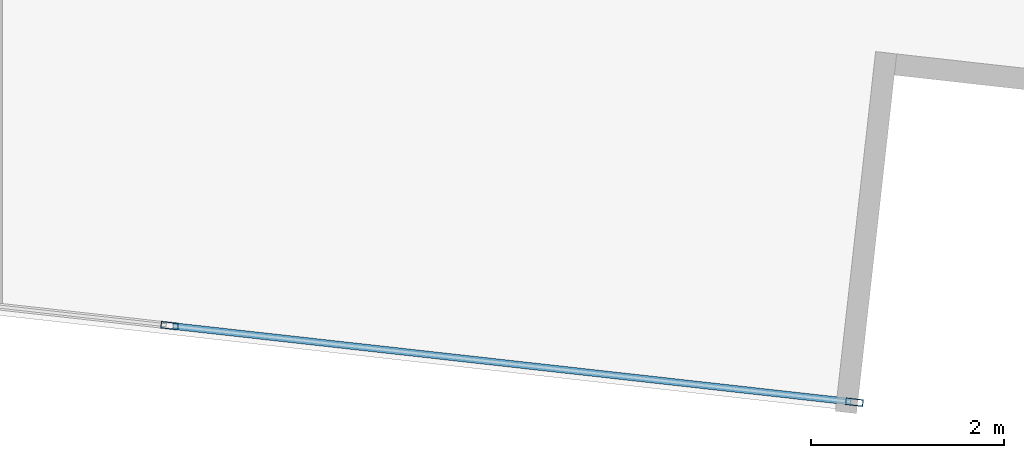
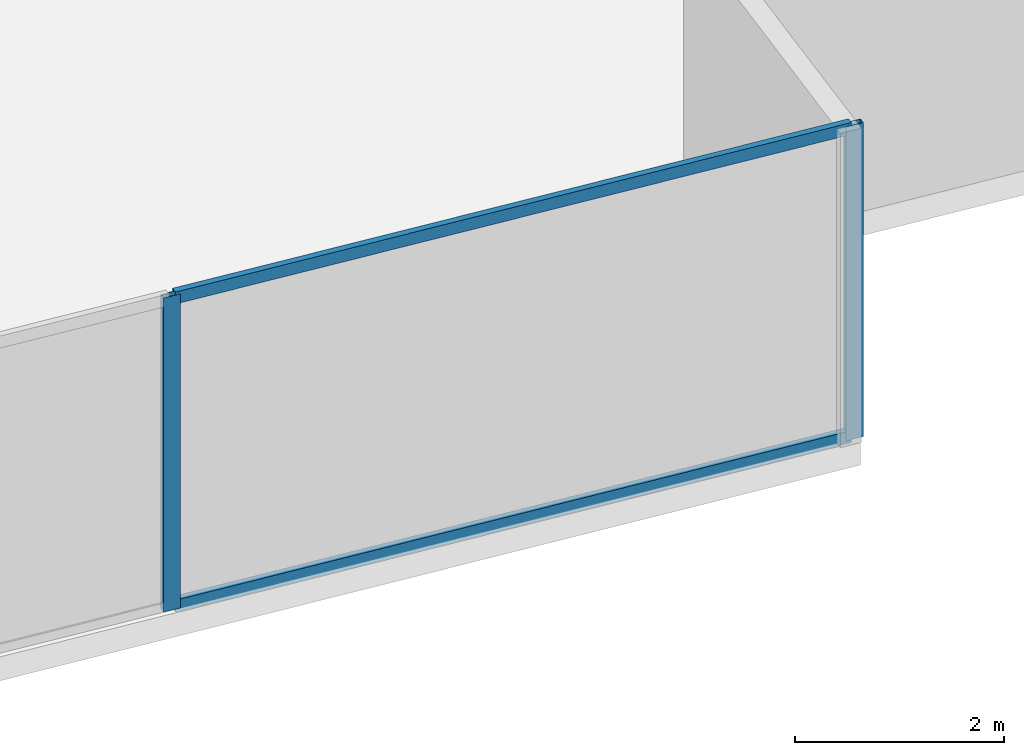
# One storey, part 10 of 29: 4 members, 1 element without a shape of its own.
"""IFC4 building model written with IfcOpenShell, lengths in metres."""

from ifc_helpers import new_model, si_unit, direction, frame, origin, origin_2d, place, context, subcontext, project, spatial, hollow_rectangle, extrude, source, transform, mapped, material, material_profile, profile_set, type_object, type_shapes, element, aggregate, save


model = new_model("IFC4")

# Units and contexts
model_context = context("Model", 3, precision=1e-05, world=origin(), true_north=direction((0.0, 1.0)))
body_context = subcontext(model_context, "Body", "Model", "MODEL_VIEW")
ifc_project = project(units=[si_unit("LENGTHUNIT", "METRE"), si_unit("AREAUNIT", "SQUARE_METRE"), si_unit("VOLUMEUNIT", "CUBIC_METRE"), si_unit("PLANEANGLEUNIT", "RADIAN"), si_unit("MASSUNIT", "GRAM", prefix="KILO")], contexts=[model_context])

# Site, building, storey
site_placement = place(None, origin())
site = spatial("IfcSite", under=ifc_project, at=site_placement, CompositionType="ELEMENT")
building_placement = place(site_placement, origin())
building = spatial("IfcBuilding", under=site, at=building_placement, Name="Krantzveldt Concourse Tower", CompositionType="ELEMENT")
storey_placement = place(building_placement, frame((0.0, 0.0, 60.550048828125)))
storey = spatial("IfcBuildingStorey", under=building, at=storey_placement, Name="L14", CompositionType="ELEMENT", Elevation=60.550048828125)

# Curtain wall, members
ifc_material = material(Name="Anodised aluminium 6063-T6", Category="aluminium")
curtain_wall_type = type_object("IfcCurtainWallType", Name="CW2", PredefinedType="USERDEFINED", material=ifc_material)
curtain_wall_placement = place(storey_placement, origin())
curtain_wall = element("IfcCurtainWall", 1, at=curtain_wall_placement, inside=storey, type_object=curtain_wall_type, Name="CW-L14-F04", ObjectType="UNITISED CURTAIN WALL", PredefinedType="USERDEFINED")
ifc_material_profile_1 = material_profile(ifc_material, hollow_rectangle(XDim=0.070068359375, YDim=0.179931640625, WallThickness=0.0048828125, at=origin_2d()), Name="Anodised aluminium 6063-T6", Category="aluminium")
ifc_profile_set_1 = profile_set([ifc_material_profile_1], Name="Anodised aluminium 6063-T6 - ALU-MULL 180x70x5")
member_type_1 = type_object("IfcMemberType", Name="CW-MUL-180", PredefinedType="MULLION", material=ifc_profile_set_1)
shared_shape_1 = source(origin(), body_context, "Body", "SweptSolid", [
    extrude(hollow_rectangle(XDim=0.070068359375, YDim=0.179931640625, WallThickness=0.0048828125, at=origin_2d()), origin(), (0.0, 0.0, 1.0), 3.669921875),
])
type_shapes(member_type_1, [shared_shape_1])
member_1_placement = place(storey_placement, frame((47.478759765625, 0.3525390625, 0.0), z_axis=(0.0, 0.0, 1.0), x_axis=(0.111035342863, 0.993816458223, 0.0)))
member_1 = element("IfcMember", 2, at=member_1_placement, type_object=member_type_1, Name="CW-Z12 mullion 6", PredefinedType="MULLION", context=body_context, shape_type="MappedRepresentation", body=[
    mapped(shared_shape_1, transform((0.0, 0.0, 0.0), x_axis=(1.0, 0.0, 0.0), y_axis=(0.0, 1.0, 0.0), z_axis=(0.0, 0.0, 1.0), scale=1.0)),
])
member_2_placement = place(storey_placement, frame((54.56640625, -0.439453125, 0.0), z_axis=(0.0, 0.0, 1.0), x_axis=(0.111035342863, 0.993816458223, 0.0)))
member_2 = element("IfcMember", 3, at=member_2_placement, type_object=member_type_1, Name="CW-Z12 mullion 7", PredefinedType="MULLION", context=body_context, shape_type="MappedRepresentation", body=[
    mapped(shared_shape_1, transform((0.0, 0.0, 0.0), x_axis=(1.0, 0.0, 0.0), y_axis=(0.0, 1.0, 0.0), z_axis=(0.0, 0.0, 1.0), scale=1.0)),
])
ifc_material_profile_2 = material_profile(ifc_material, hollow_rectangle(XDim=0.070068359375, YDim=0.139892578125, WallThickness=0.0048828125, at=origin_2d()), Name="Anodised aluminium 6063-T6", Category="aluminium")
ifc_profile_set_2 = profile_set([ifc_material_profile_2], Name="Anodised aluminium 6063-T6 - ALU-TRAN 140x70x5")
member_type_2 = type_object("IfcMemberType", Name="CW-TRN-150", PredefinedType="USERDEFINED", material=ifc_profile_set_2)
shared_shape_2 = source(origin(), body_context, "Body", "SweptSolid", [
    extrude(hollow_rectangle(XDim=0.070068359375, YDim=0.139892578125, WallThickness=0.0048828125, at=origin_2d()), origin(), (0.0, 0.0, 1.0), 7.0615234375),
])
type_shapes(member_type_2, [shared_shape_2])
member_3_placement = place(storey_placement, frame((47.513671875, 0.3486328125, 0.034912109375), z_axis=(0.993814816866, -0.111050032763, 0.0), x_axis=(0.111050032763, 0.993814816866, 0.0)))
member_3 = element("IfcMember", 4, at=member_3_placement, type_object=member_type_2, Name="CW-Z12 transom 6.1", ObjectType="TRANSOM", PredefinedType="USERDEFINED", context=body_context, shape_type="MappedRepresentation", body=[
    mapped(shared_shape_2, transform((0.0, 0.0, 0.0), x_axis=(1.0, 0.0, 0.0), y_axis=(0.0, 1.0, 0.0), z_axis=(0.0, 0.0, 1.0), scale=1.0)),
])
member_4_placement = place(storey_placement, frame((47.513671875, 0.3486328125, 3.635009765625), z_axis=(0.993814816866, -0.111050032763, 0.0), x_axis=(0.111050032763, 0.993814816866, 0.0)))
member_4 = element("IfcMember", 5, at=member_4_placement, type_object=member_type_2, Name="CW-Z12 transom 6.2", ObjectType="TRANSOM", PredefinedType="USERDEFINED", context=body_context, shape_type="MappedRepresentation", body=[
    mapped(shared_shape_2, transform((0.0, 0.0, 0.0), x_axis=(1.0, 0.0, 0.0), y_axis=(0.0, 1.0, 0.0), z_axis=(0.0, 0.0, 1.0), scale=1.0)),
])
aggregate(curtain_wall, [member_1, member_2, member_3, member_4])

save(model, "model.ifc")
